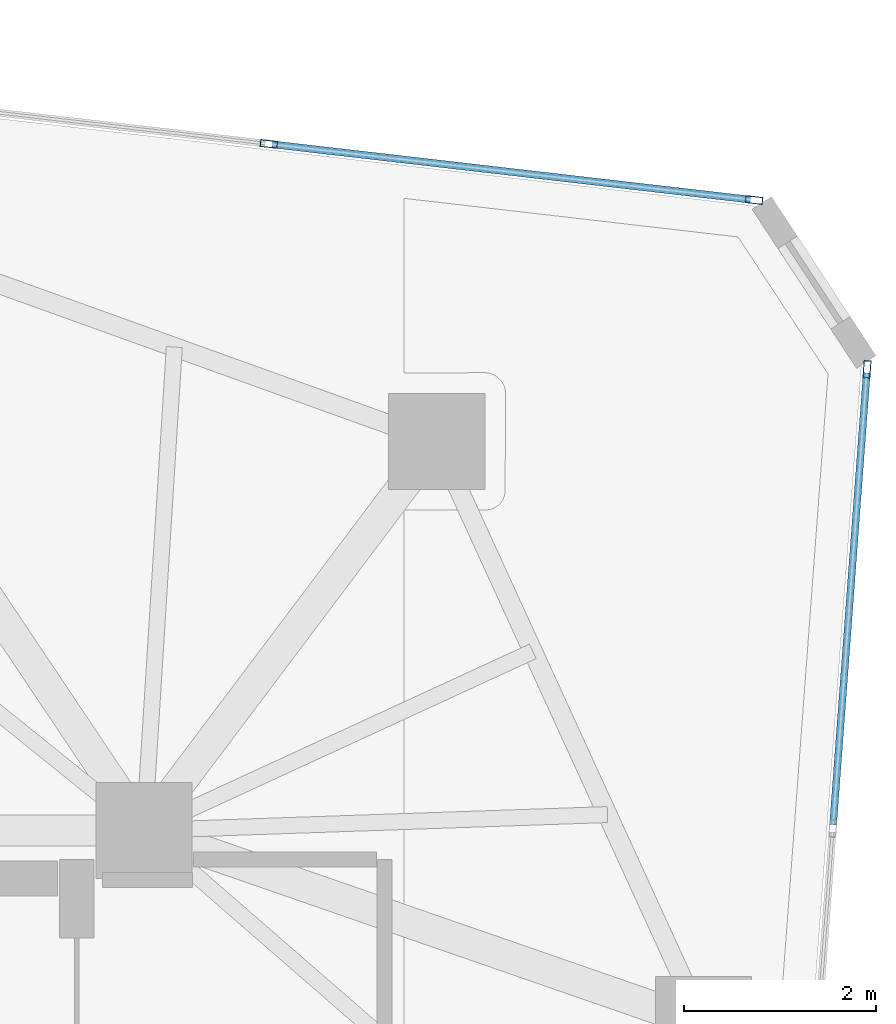
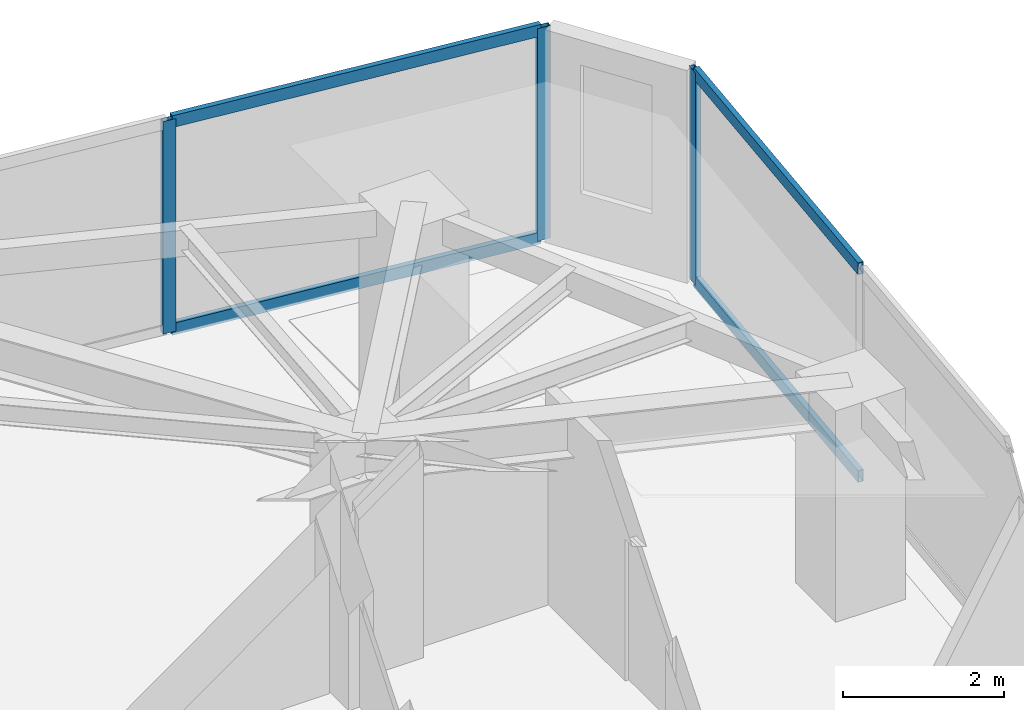
# One storey, part 14 of 20: 7 members, 2 elements without a shape of their own.
"""IFC4 building model written with IfcOpenShell, lengths in metres."""

from ifc_helpers import new_model, si_unit, direction, frame, origin, origin_2d, place, context, subcontext, project, spatial, hollow_rectangle, extrude, source, transform, mapped, material, layer, layer_set, material_profile, profile_set, type_object, type_shapes, element, aggregate, save


model = new_model("IFC4")

# Units and contexts
model_context = context("Model", 3, precision=1e-05, world=origin(), true_north=direction((0.0, 1.0)))
body_context = subcontext(model_context, "Body", "Model", "MODEL_VIEW")
ifc_project = project(units=[si_unit("LENGTHUNIT", "METRE"), si_unit("AREAUNIT", "SQUARE_METRE"), si_unit("VOLUMEUNIT", "CUBIC_METRE"), si_unit("PLANEANGLEUNIT", "RADIAN"), si_unit("MASSUNIT", "GRAM", prefix="KILO")], contexts=[model_context])

# Site, building, storey
site_placement = place(None, origin())
site = spatial("IfcSite", under=ifc_project, at=site_placement, CompositionType="ELEMENT")
building_placement = place(site_placement, origin())
building = spatial("IfcBuilding", under=site, at=building_placement, Name="Talar Marvaseh", CompositionType="ELEMENT")
storey_placement = place(building_placement, frame((0.0, 0.0, 215.199951171875)))
storey = spatial("IfcBuildingStorey", under=building, at=storey_placement, Name="L56", CompositionType="ELEMENT", Elevation=215.199951171875)

# Curtain wall, members
ifc_material = material(Name="Architectural Aluminium", Category="aluminium")
ifc_layer = layer(ifc_material, 0.18994140625)
ifc_layer_set = layer_set([ifc_layer], Name="Architectural Aluminium")
curtain_wall_type = type_object("IfcCurtainWallType", Name="Unitised Solar Atelier Curtain Wall Z3", PredefinedType="NOTDEFINED", material=ifc_layer_set)
curtain_wall_1_placement = place(storey_placement, origin())
curtain_wall_1 = element("IfcCurtainWall", 1, at=curtain_wall_1_placement, inside=storey, type_object=curtain_wall_type, Name="L56 Unitised Solar Atelier Curtain Wall Z3", PredefinedType="NOTDEFINED")
ifc_material_profile_1 = material_profile(ifc_material, hollow_rectangle(XDim=0.074951171875, YDim=0.179931640625, WallThickness=0.0048828125, at=origin_2d()), Name="RHS180x75x5")
ifc_profile_set_1 = profile_set([ifc_material_profile_1], Name="Architectural Aluminium")
member_type_1 = type_object("IfcMemberType", Name="Unitised Curtain Wall Standard Mullion RHS180x75x5", PredefinedType="MULLION", material=ifc_profile_set_1)
shared_shape_1 = source(origin(), body_context, "Body", "SweptSolid", [
    extrude(hollow_rectangle(XDim=0.074951171875, YDim=0.179931640625, WallThickness=0.0048828125, at=origin_2d()), origin(), (0.0, 0.0, 1.0), 3.22998046875),
])
type_shapes(member_type_1, [shared_shape_1])
member_1_placement = place(storey_placement, frame((34.59619140625, 44.033935546875, 0.0), z_axis=(0.0, 0.0, 1.0), x_axis=(0.114870315646, 0.993380496378, 0.0)))
member_1 = element("IfcMember", 2, at=member_1_placement, type_object=member_type_1, Name="CW-Z3 mullion 3", PredefinedType="MULLION", context=body_context, shape_type="MappedRepresentation", body=[
    mapped(shared_shape_1, transform((0.0, 0.0, 0.0), x_axis=(1.0, 0.0, 0.0), y_axis=(0.0, 1.0, 0.0), z_axis=(0.0, 0.0, 1.0), scale=1.0)),
])
member_2_placement = place(storey_placement, frame((39.63818359375, 43.450927734375, 0.0), z_axis=(0.0, 0.0, 1.0), x_axis=(0.114870315646, 0.993380496378, 0.0)))
member_2 = element("IfcMember", 3, at=member_2_placement, type_object=member_type_1, Name="CW-Z3 mullion 4", PredefinedType="MULLION", context=body_context, shape_type="MappedRepresentation", body=[
    mapped(shared_shape_1, transform((0.0, 0.0, 0.0), x_axis=(1.0, 0.0, 0.0), y_axis=(0.0, 1.0, 0.0), z_axis=(0.0, 0.0, 1.0), scale=1.0)),
])

# Curtain wall, member
curtain_wall_2_placement = place(storey_placement, origin())
curtain_wall_2 = element("IfcCurtainWall", 4, at=curtain_wall_2_placement, inside=storey, type_object=curtain_wall_type, Name="L56 Unitised Solar Atelier Curtain Wall Z3", PredefinedType="NOTDEFINED")
member_3_placement = place(storey_placement, frame((40.81201171875, 41.6923828125, 0.0), z_axis=(0.0, 0.0, 1.0), x_axis=(0.997238678211, -0.074263171764, 0.0)))
member_3 = element("IfcMember", 5, at=member_3_placement, type_object=member_type_1, Name="CW-Z3 mullion 1", PredefinedType="MULLION", context=body_context, shape_type="MappedRepresentation", body=[
    mapped(shared_shape_1, transform((0.0, 0.0, 0.0), x_axis=(1.0, 0.0, 0.0), y_axis=(0.0, 1.0, 0.0), z_axis=(0.0, 0.0, 1.0), scale=1.0)),
])

# Member
ifc_material_profile_2 = material_profile(ifc_material, hollow_rectangle(XDim=0.074951171875, YDim=0.179931640625, WallThickness=0.0048828125, at=origin_2d()), Name="RHS180x75x5")
ifc_profile_set_2 = profile_set([ifc_material_profile_2], Name="Architectural Aluminium")
member_type_2 = type_object("IfcMemberType", Name="Unitised Curtain Wall Transom RHS180x75x5", PredefinedType="USERDEFINED", material=ifc_profile_set_2)
shared_shape_2 = source(origin(), body_context, "Body", "SweptSolid", [
    extrude(hollow_rectangle(XDim=0.074951171875, YDim=0.179931640625, WallThickness=0.0048828125, at=origin_2d()), origin(), (0.0, 0.0, 1.0), 5.00048828125),
])
member_4_placement = place(storey_placement, frame((34.633544921875, 44.029541015625, 0.03759765625), z_axis=(0.993378965932, -0.114883549928, 0.0), x_axis=(0.114883549928, 0.993378965932, 0.0)))
member_4 = element("IfcMember", 6, at=member_4_placement, type_object=member_type_2, Name="CW-Z3 transom 3.1", ObjectType="TRANSOM", PredefinedType="USERDEFINED", context=body_context, shape_type="MappedRepresentation", body=[
    mapped(shared_shape_2, transform((0.0, 0.0, 0.0), x_axis=(1.0, 0.0, 0.0), y_axis=(0.0, 1.0, 0.0), z_axis=(0.0, 0.0, 1.0), scale=1.0)),
])

member_5_placement = place(storey_placement, frame((34.633544921875, 44.029541015625, 3.192626953125), z_axis=(0.993378965932, -0.114883549928, 0.0), x_axis=(0.114883549928, 0.993378965932, 0.0)))
member_5 = element("IfcMember", 7, at=member_5_placement, type_object=member_type_2, Name="CW-Z3 transom 3.2", ObjectType="TRANSOM", PredefinedType="USERDEFINED", context=body_context, shape_type="MappedRepresentation", body=[
    mapped(shared_shape_2, transform((0.0, 0.0, 0.0), x_axis=(1.0, 0.0, 0.0), y_axis=(0.0, 1.0, 0.0), z_axis=(0.0, 0.0, 1.0), scale=1.0)),
])

aggregate(curtain_wall_1, [member_1, member_2, member_4, member_5])

shared_shape_3 = source(origin(), body_context, "Body", "SweptSolid", [
    extrude(hollow_rectangle(XDim=0.074951171875, YDim=0.179931640625, WallThickness=0.0048828125, at=origin_2d()), origin(), (0.0, 0.0, 1.0), 4.70947265625),
])
type_shapes(member_type_2, [shared_shape_2, shared_shape_3])
member_6_placement = place(storey_placement, frame((40.809326171875, 41.655029296875, 0.03759765625), z_axis=(-0.07428604174, -0.997236974847, 0.0), x_axis=(0.997236974847, -0.07428604174, 0.0)))
member_6 = element("IfcMember", 8, at=member_6_placement, type_object=member_type_2, Name="CW-Z3 transom 1.1", ObjectType="TRANSOM", PredefinedType="USERDEFINED", context=body_context, shape_type="MappedRepresentation", body=[
    mapped(shared_shape_3, transform((0.0, 0.0, 0.0), x_axis=(1.0, 0.0, 0.0), y_axis=(0.0, 1.0, 0.0), z_axis=(0.0, 0.0, 1.0), scale=1.0)),
])

member_7_placement = place(storey_placement, frame((40.809326171875, 41.655029296875, 3.192626953125), z_axis=(-0.07428604174, -0.997236974847, 0.0), x_axis=(0.997236974847, -0.07428604174, 0.0)))
member_7 = element("IfcMember", 9, at=member_7_placement, type_object=member_type_2, Name="CW-Z3 transom 1.2", ObjectType="TRANSOM", PredefinedType="USERDEFINED", context=body_context, shape_type="MappedRepresentation", body=[
    mapped(shared_shape_3, transform((0.0, 0.0, 0.0), x_axis=(1.0, 0.0, 0.0), y_axis=(0.0, 1.0, 0.0), z_axis=(0.0, 0.0, 1.0), scale=1.0)),
])

aggregate(curtain_wall_2, [member_3, member_6, member_7])

save(model, "model.ifc")
